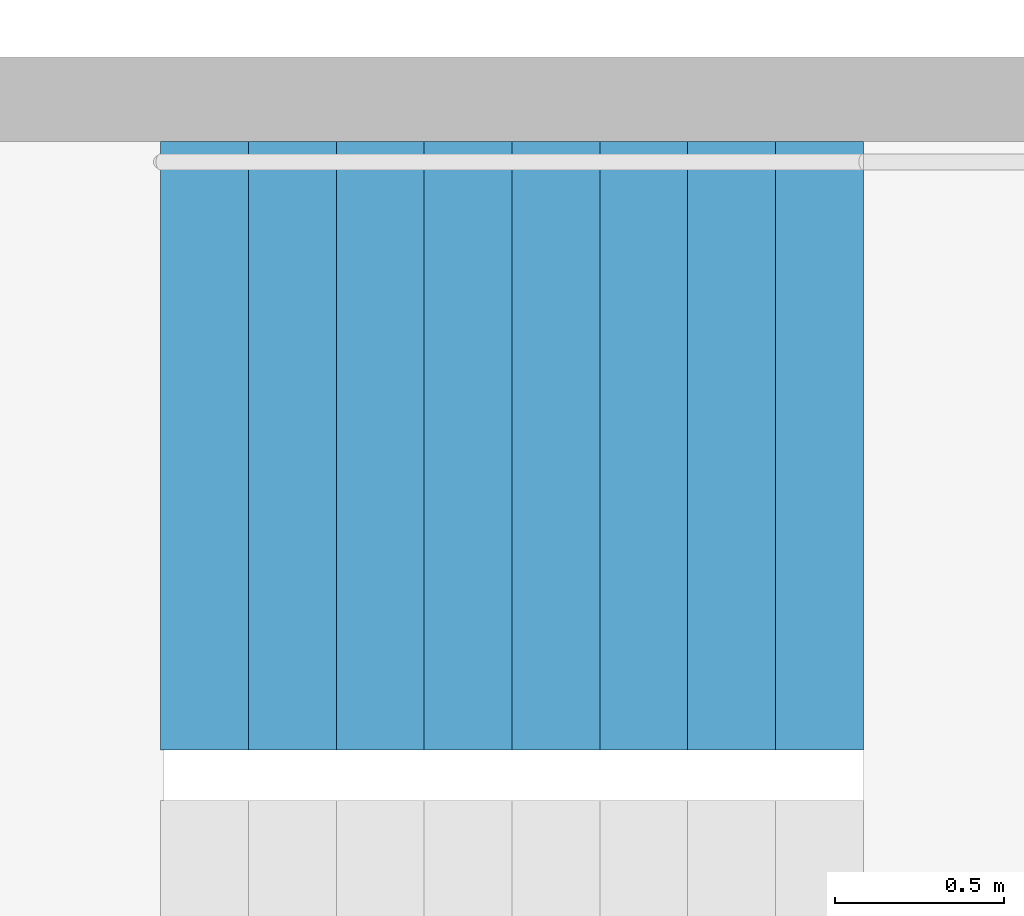
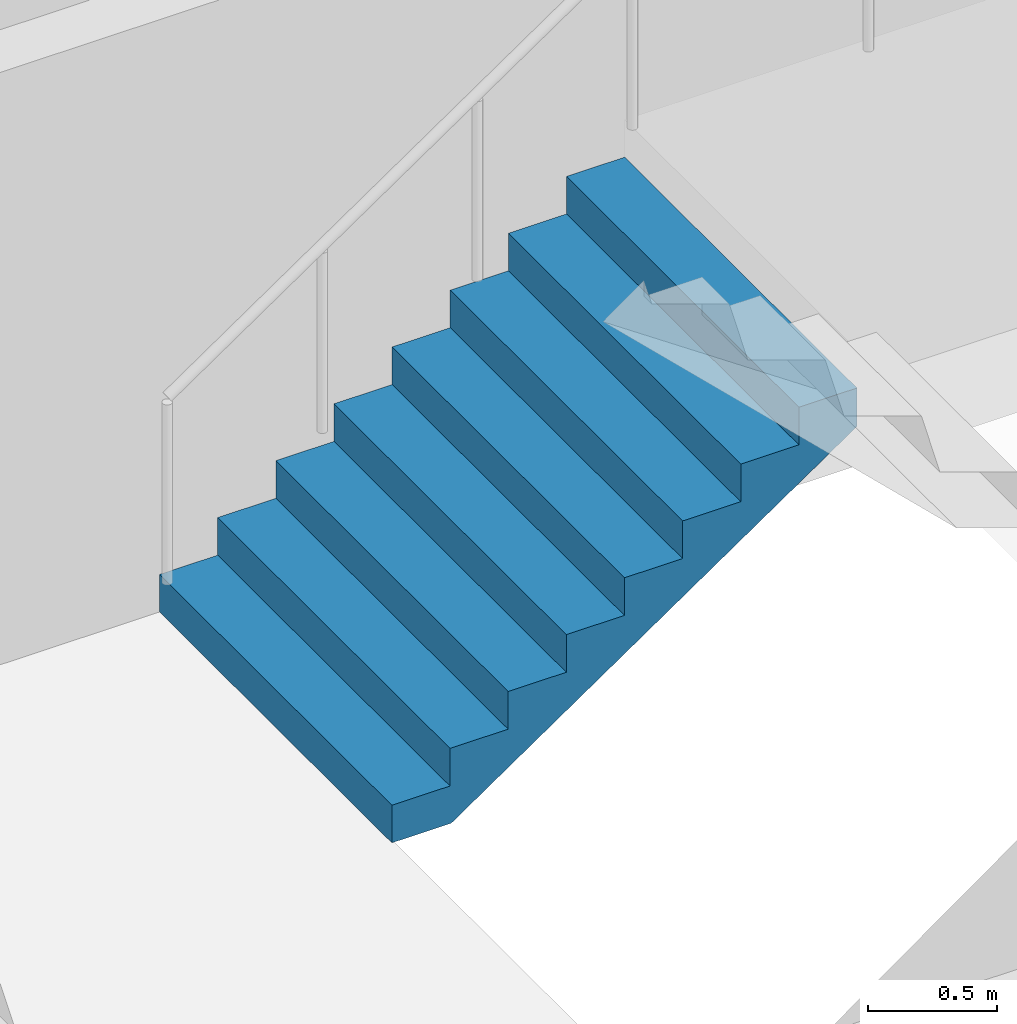
# One storey, part 26 of 29: 1 stair flight, 1 element without a shape of its own.
"""IFC4 building model written with IfcOpenShell, lengths in metres."""

from ifc_helpers import new_model, si_unit, direction, frame, origin, place, context, subcontext, project, spatial, triangles, material, type_object, element, aggregate, save


model = new_model("IFC4")

# Units and contexts
model_context = context("Model", 3, precision=1e-05, world=origin(), true_north=direction((0.0, 1.0)))
body_context = subcontext(model_context, "Body", "Model", "MODEL_VIEW")
ifc_project = project(units=[si_unit("LENGTHUNIT", "METRE"), si_unit("AREAUNIT", "SQUARE_METRE"), si_unit("VOLUMEUNIT", "CUBIC_METRE"), si_unit("PLANEANGLEUNIT", "RADIAN"), si_unit("MASSUNIT", "GRAM", prefix="KILO")], contexts=[model_context])

# Site, building, storey
site_placement = place(None, origin())
site = spatial("IfcSite", under=ifc_project, at=site_placement, CompositionType="ELEMENT")
building_placement = place(site_placement, origin())
building = spatial("IfcBuilding", under=site, at=building_placement, Name="Hakoniwa Tower and Hamabe Station Hall", CompositionType="ELEMENT")
storey_placement = place(building_placement, frame((0.0, 0.0, 23.0)))
storey = spatial("IfcBuildingStorey", under=building, at=storey_placement, Name="L05", CompositionType="ELEMENT", Elevation=23.0)

# Stair, stair flight
ifc_material_1 = material(Name="Concrete C40", Category="concrete")
stair_type = type_object("IfcStairType", Name="ESCAPE STAIR 1800", PredefinedType="HALF_TURN_STAIR", material=ifc_material_1)
stair_placement = place(storey_placement, origin())
stair = element("IfcStair", 1, at=stair_placement, inside=storey, type_object=stair_type, Name="Escape stair ST-4 L05", PredefinedType="HALF_TURN_STAIR")
ifc_material_2 = material(Name="Concrete C40", Category="concrete")
stair_flight_type = type_object("IfcStairFlightType", Name="STAIR FLIGHT 1800", PredefinedType="STRAIGHT", material=ifc_material_2)
stair_flight_placement = place(storey_placement, frame((23.39990234375, -4.64990234375, 0.0), z_axis=(0.0, 0.0, 1.0), x_axis=(1.0, 0.0, 0.0)))
stair_flight = element("IfcStairFlight", 2, at=stair_flight_placement, type_object=stair_flight_type, Name="ST-4 flight 1", NumberOfRisers=9, NumberOfTreads=8, PredefinedType="STRAIGHT", RiserHeight=0.177777778, TreadLength=0.26, context=body_context, shape_type="Tessellation", body=[
    triangles([(0.0, 0.89990234375, 0.0), (0.260009765625, 0.89990234375, 0.0), (0.265625, 0.89990234375, 0.0), (0.52001953125, 0.89990234375, 0.174072265625), (0.780029296875, 0.89990234375, 0.351806640625), (1.0400390625, 0.89990234375, 0.529541015625), (1.300048828125, 0.89990234375, 0.707275390625), (1.56005859375, 0.89990234375, 0.885009765625), (1.820068359375, 0.89990234375, 1.062744140625), (2.080078125, 0.89990234375, 1.24072265625), (2.080078125, 0.89990234375, 1.422119140625), (1.820068359375, 0.89990234375, 1.422119140625), (1.820068359375, 0.89990234375, 1.244384765625), (1.56005859375, 0.89990234375, 1.244384765625), (1.56005859375, 0.89990234375, 1.066650390625), (1.300048828125, 0.89990234375, 1.066650390625), (1.300048828125, 0.89990234375, 0.888916015625), (1.0400390625, 0.89990234375, 0.888916015625), (1.0400390625, 0.89990234375, 0.711181640625), (0.780029296875, 0.89990234375, 0.711181640625), (0.780029296875, 0.89990234375, 0.533447265625), (0.52001953125, 0.89990234375, 0.533447265625), (0.52001953125, 0.89990234375, 0.35546875), (0.265625, 0.89990234375, 0.35546875), (0.260009765625, 0.89990234375, 0.35546875), (0.260009765625, 0.89990234375, 0.177734375), (0.0, 0.89990234375, 0.177734375), (0.0, 0.06005859375, 0.0), (0.260009765625, 0.06005859375, 0.0), (0.265625, 0.06005859375, 0.0), (0.52001953125, 0.06005859375, 0.174072265625), (0.780029296875, 0.06005859375, 0.351806640625), (1.0400390625, 0.06005859375, 0.529541015625), (1.300048828125, 0.06005859375, 0.707275390625), (1.56005859375, 0.06005859375, 0.885009765625), (1.820068359375, 0.06005859375, 1.062744140625), (2.080078125, 0.06005859375, 1.24072265625), (2.080078125, 0.06005859375, 1.422119140625), (1.820068359375, 0.06005859375, 1.422119140625), (1.820068359375, 0.06005859375, 1.244384765625), (1.56005859375, 0.06005859375, 1.244384765625), (1.56005859375, 0.06005859375, 1.066650390625), (1.300048828125, 0.06005859375, 1.066650390625), (1.300048828125, 0.06005859375, 0.888916015625), (1.0400390625, 0.06005859375, 0.888916015625), (1.0400390625, 0.06005859375, 0.711181640625), (0.780029296875, 0.06005859375, 0.711181640625), (0.780029296875, 0.06005859375, 0.533447265625), (0.52001953125, 0.06005859375, 0.533447265625), (0.52001953125, 0.06005859375, 0.35546875), (0.265625, 0.06005859375, 0.35546875), (0.260009765625, 0.06005859375, 0.35546875), (0.260009765625, 0.06005859375, 0.177734375), (0.0, 0.06005859375, 0.177734375), (0.0, 0.04296875, 0.0), (0.260009765625, 0.04296875, 0.0), (0.265625, 0.04296875, 0.0), (0.52001953125, 0.04296875, 0.174072265625), (0.780029296875, 0.04296875, 0.351806640625), (1.0400390625, 0.04296875, 0.529541015625), (1.300048828125, 0.04296875, 0.707275390625), (1.56005859375, 0.04296875, 0.885009765625), (1.820068359375, 0.04296875, 1.062744140625), (2.080078125, 0.04296875, 1.24072265625), (2.080078125, 0.04296875, 1.422119140625), (1.820068359375, 0.04296875, 1.422119140625), (1.820068359375, 0.04296875, 1.244384765625), (1.56005859375, 0.04296875, 1.244384765625), (1.56005859375, 0.04296875, 1.066650390625), (1.300048828125, 0.04296875, 1.066650390625), (1.300048828125, 0.04296875, 0.888916015625), (1.0400390625, 0.04296875, 0.888916015625), (1.0400390625, 0.04296875, 0.711181640625), (0.780029296875, 0.04296875, 0.711181640625), (0.780029296875, 0.04296875, 0.533447265625), (0.52001953125, 0.04296875, 0.533447265625), (0.52001953125, 0.04296875, 0.35546875), (0.265625, 0.04296875, 0.35546875), (0.260009765625, 0.04296875, 0.35546875), (0.260009765625, 0.04296875, 0.177734375), (0.0, 0.04296875, 0.177734375), (0.0, 0.025634765625, 0.0), (0.260009765625, 0.025634765625, 0.0), (0.265625, 0.025634765625, 0.0), (0.52001953125, 0.025634765625, 0.174072265625), (0.780029296875, 0.025634765625, 0.351806640625), (1.0400390625, 0.025634765625, 0.529541015625), (1.300048828125, 0.025634765625, 0.707275390625), (1.56005859375, 0.025634765625, 0.885009765625), (1.820068359375, 0.025634765625, 1.062744140625), (2.080078125, 0.025634765625, 1.24072265625), (2.080078125, 0.025634765625, 1.422119140625), (1.820068359375, 0.025634765625, 1.422119140625), (1.820068359375, 0.025634765625, 1.244384765625), (1.56005859375, 0.025634765625, 1.244384765625), (1.56005859375, 0.025634765625, 1.066650390625), (1.300048828125, 0.025634765625, 1.066650390625), (1.300048828125, 0.025634765625, 0.888916015625), (1.0400390625, 0.025634765625, 0.888916015625), (1.0400390625, 0.025634765625, 0.711181640625), (0.780029296875, 0.025634765625, 0.711181640625), (0.780029296875, 0.025634765625, 0.533447265625), (0.52001953125, 0.025634765625, 0.533447265625), (0.52001953125, 0.025634765625, 0.35546875), (0.265625, 0.025634765625, 0.35546875), (0.260009765625, 0.025634765625, 0.35546875), (0.260009765625, 0.025634765625, 0.177734375), (0.0, 0.025634765625, 0.177734375), (0.0, 0.008544921875, 0.0), (0.260009765625, 0.008544921875, 0.0), (0.265625, 0.008544921875, 0.0), (0.52001953125, 0.008544921875, 0.174072265625), (0.780029296875, 0.008544921875, 0.351806640625), (1.0400390625, 0.008544921875, 0.529541015625), (1.300048828125, 0.008544921875, 0.707275390625), (1.56005859375, 0.008544921875, 0.885009765625), (1.820068359375, 0.008544921875, 1.062744140625), (2.080078125, 0.008544921875, 1.24072265625), (2.080078125, 0.008544921875, 1.422119140625), (1.820068359375, 0.008544921875, 1.422119140625), (1.820068359375, 0.008544921875, 1.244384765625), (1.56005859375, 0.008544921875, 1.244384765625), (1.56005859375, 0.008544921875, 1.066650390625), (1.300048828125, 0.008544921875, 1.066650390625), (1.300048828125, 0.008544921875, 0.888916015625), (1.0400390625, 0.008544921875, 0.888916015625), (1.0400390625, 0.008544921875, 0.711181640625), (0.780029296875, 0.008544921875, 0.711181640625), (0.780029296875, 0.008544921875, 0.533447265625), (0.52001953125, 0.008544921875, 0.533447265625), (0.52001953125, 0.008544921875, 0.35546875), (0.265625, 0.008544921875, 0.35546875), (0.260009765625, 0.008544921875, 0.35546875), (0.260009765625, 0.008544921875, 0.177734375), (0.0, 0.008544921875, 0.177734375), (0.0, -0.008544921875, 0.0), (0.260009765625, -0.008544921875, 0.0), (0.265625, -0.008544921875, 0.0), (0.52001953125, -0.008544921875, 0.174072265625), (0.780029296875, -0.008544921875, 0.351806640625), (1.0400390625, -0.008544921875, 0.529541015625), (1.300048828125, -0.008544921875, 0.707275390625), (1.56005859375, -0.008544921875, 0.885009765625), (1.820068359375, -0.008544921875, 1.062744140625), (2.080078125, -0.008544921875, 1.24072265625), (2.080078125, -0.008544921875, 1.422119140625), (1.820068359375, -0.008544921875, 1.422119140625), (1.820068359375, -0.008544921875, 1.244384765625), (1.56005859375, -0.008544921875, 1.244384765625), (1.56005859375, -0.008544921875, 1.066650390625), (1.300048828125, -0.008544921875, 1.066650390625), (1.300048828125, -0.008544921875, 0.888916015625), (1.0400390625, -0.008544921875, 0.888916015625), (1.0400390625, -0.008544921875, 0.711181640625), (0.780029296875, -0.008544921875, 0.711181640625), (0.780029296875, -0.008544921875, 0.533447265625), (0.52001953125, -0.008544921875, 0.533447265625), (0.52001953125, -0.008544921875, 0.35546875), (0.265625, -0.008544921875, 0.35546875), (0.260009765625, -0.008544921875, 0.35546875), (0.260009765625, -0.008544921875, 0.177734375), (0.0, -0.008544921875, 0.177734375), (0.0, -0.025634765625, 0.0), (0.260009765625, -0.025634765625, 0.0), (0.265625, -0.025634765625, 0.0), (0.52001953125, -0.025634765625, 0.174072265625), (0.780029296875, -0.025634765625, 0.351806640625), (1.0400390625, -0.025634765625, 0.529541015625), (1.300048828125, -0.025634765625, 0.707275390625), (1.56005859375, -0.025634765625, 0.885009765625), (1.820068359375, -0.025634765625, 1.062744140625), (2.080078125, -0.025634765625, 1.24072265625), (2.080078125, -0.025634765625, 1.422119140625), (1.820068359375, -0.025634765625, 1.422119140625), (1.820068359375, -0.025634765625, 1.244384765625), (1.56005859375, -0.025634765625, 1.244384765625), (1.56005859375, -0.025634765625, 1.066650390625), (1.300048828125, -0.025634765625, 1.066650390625), (1.300048828125, -0.025634765625, 0.888916015625), (1.0400390625, -0.025634765625, 0.888916015625), (1.0400390625, -0.025634765625, 0.711181640625), (0.780029296875, -0.025634765625, 0.711181640625), (0.780029296875, -0.025634765625, 0.533447265625), (0.52001953125, -0.025634765625, 0.533447265625), (0.52001953125, -0.025634765625, 0.35546875), (0.265625, -0.025634765625, 0.35546875), (0.260009765625, -0.025634765625, 0.35546875), (0.260009765625, -0.025634765625, 0.177734375), (0.0, -0.025634765625, 0.177734375), (0.0, -0.04296875, 0.0), (0.260009765625, -0.04296875, 0.0), (0.265625, -0.04296875, 0.0), (0.52001953125, -0.04296875, 0.174072265625), (0.780029296875, -0.04296875, 0.351806640625), (1.0400390625, -0.04296875, 0.529541015625), (1.300048828125, -0.04296875, 0.707275390625), (1.56005859375, -0.04296875, 0.885009765625), (1.820068359375, -0.04296875, 1.062744140625), (2.080078125, -0.04296875, 1.24072265625), (2.080078125, -0.04296875, 1.422119140625), (1.820068359375, -0.04296875, 1.422119140625), (1.820068359375, -0.04296875, 1.244384765625), (1.56005859375, -0.04296875, 1.244384765625), (1.56005859375, -0.04296875, 1.066650390625), (1.300048828125, -0.04296875, 1.066650390625), (1.300048828125, -0.04296875, 0.888916015625), (1.0400390625, -0.04296875, 0.888916015625), (1.0400390625, -0.04296875, 0.711181640625), (0.780029296875, -0.04296875, 0.711181640625), (0.780029296875, -0.04296875, 0.533447265625), (0.52001953125, -0.04296875, 0.533447265625), (0.52001953125, -0.04296875, 0.35546875), (0.265625, -0.04296875, 0.35546875), (0.260009765625, -0.04296875, 0.35546875), (0.260009765625, -0.04296875, 0.177734375), (0.0, -0.04296875, 0.177734375), (0.0, -0.06005859375, 0.0), (0.260009765625, -0.06005859375, 0.0), (0.265625, -0.06005859375, 0.0), (0.52001953125, -0.06005859375, 0.174072265625), (0.780029296875, -0.06005859375, 0.351806640625), (1.0400390625, -0.06005859375, 0.529541015625), (1.300048828125, -0.06005859375, 0.707275390625), (1.56005859375, -0.06005859375, 0.885009765625), (1.820068359375, -0.06005859375, 1.062744140625), (2.080078125, -0.06005859375, 1.24072265625), (2.080078125, -0.06005859375, 1.422119140625), (1.820068359375, -0.06005859375, 1.422119140625), (1.820068359375, -0.06005859375, 1.244384765625), (1.56005859375, -0.06005859375, 1.244384765625), (1.56005859375, -0.06005859375, 1.066650390625), (1.300048828125, -0.06005859375, 1.066650390625), (1.300048828125, -0.06005859375, 0.888916015625), (1.0400390625, -0.06005859375, 0.888916015625), (1.0400390625, -0.06005859375, 0.711181640625), (0.780029296875, -0.06005859375, 0.711181640625), (0.780029296875, -0.06005859375, 0.533447265625), (0.52001953125, -0.06005859375, 0.533447265625), (0.52001953125, -0.06005859375, 0.35546875), (0.265625, -0.06005859375, 0.35546875), (0.260009765625, -0.06005859375, 0.35546875), (0.260009765625, -0.06005859375, 0.177734375), (0.0, -0.06005859375, 0.177734375), (0.0, -0.89990234375, 0.0), (0.260009765625, -0.89990234375, 0.0), (0.265625, -0.89990234375, 0.0), (0.52001953125, -0.89990234375, 0.174072265625), (0.780029296875, -0.89990234375, 0.351806640625), (1.0400390625, -0.89990234375, 0.529541015625), (1.300048828125, -0.89990234375, 0.707275390625), (1.56005859375, -0.89990234375, 0.885009765625), (1.820068359375, -0.89990234375, 1.062744140625), (2.080078125, -0.89990234375, 1.24072265625), (2.080078125, -0.89990234375, 1.422119140625), (1.820068359375, -0.89990234375, 1.422119140625), (1.820068359375, -0.89990234375, 1.244384765625), (1.56005859375, -0.89990234375, 1.244384765625), (1.56005859375, -0.89990234375, 1.066650390625), (1.300048828125, -0.89990234375, 1.066650390625), (1.300048828125, -0.89990234375, 0.888916015625), (1.0400390625, -0.89990234375, 0.888916015625), (1.0400390625, -0.89990234375, 0.711181640625), (0.780029296875, -0.89990234375, 0.711181640625), (0.780029296875, -0.89990234375, 0.533447265625), (0.52001953125, -0.89990234375, 0.533447265625), (0.52001953125, -0.89990234375, 0.35546875), (0.265625, -0.89990234375, 0.35546875), (0.260009765625, -0.89990234375, 0.35546875), (0.260009765625, -0.89990234375, 0.177734375), (0.0, -0.89990234375, 0.177734375)], [[2, 27, 26], [245, 269, 270], [2, 1, 27], [245, 270, 244], [3, 25, 24], [246, 267, 268], [3, 26, 25], [246, 268, 269], [3, 2, 26], [246, 269, 245], [4, 24, 23], [247, 266, 267], [4, 3, 24], [247, 267, 246], [5, 22, 21], [248, 264, 265], [5, 23, 22], [248, 265, 266], [5, 4, 23], [248, 266, 247], [6, 20, 19], [249, 262, 263], [6, 21, 20], [249, 263, 264], [6, 5, 21], [249, 264, 248], [7, 18, 17], [250, 260, 261], [7, 19, 18], [250, 261, 262], [7, 6, 19], [250, 262, 249], [8, 16, 15], [251, 258, 259], [8, 17, 16], [251, 259, 260], [8, 7, 17], [251, 260, 250], [9, 14, 13], [252, 256, 257], [9, 15, 14], [252, 257, 258], [9, 8, 15], [252, 258, 251], [10, 12, 11], [253, 254, 255], [10, 13, 12], [253, 255, 256], [10, 9, 13], [253, 256, 252], [1, 2, 29], [1, 29, 28], [28, 29, 56], [28, 56, 55], [55, 56, 83], [55, 83, 82], [82, 83, 110], [82, 110, 109], [109, 110, 137], [109, 137, 136], [136, 137, 164], [136, 164, 163], [163, 164, 191], [163, 191, 190], [190, 191, 218], [190, 218, 217], [217, 218, 245], [217, 245, 244], [2, 3, 30], [2, 30, 29], [29, 30, 57], [29, 57, 56], [56, 57, 84], [56, 84, 83], [83, 84, 111], [83, 111, 110], [110, 111, 138], [110, 138, 137], [137, 138, 165], [137, 165, 164], [164, 165, 192], [164, 192, 191], [191, 192, 219], [191, 219, 218], [218, 219, 246], [218, 246, 245], [3, 4, 31], [3, 31, 30], [30, 31, 58], [30, 58, 57], [57, 58, 85], [57, 85, 84], [84, 85, 112], [84, 112, 111], [111, 112, 139], [111, 139, 138], [138, 139, 166], [138, 166, 165], [165, 166, 193], [165, 193, 192], [192, 193, 220], [192, 220, 219], [219, 220, 247], [219, 247, 246], [4, 5, 32], [4, 32, 31], [31, 32, 59], [31, 59, 58], [58, 59, 86], [58, 86, 85], [85, 86, 113], [85, 113, 112], [112, 113, 140], [112, 140, 139], [139, 140, 167], [139, 167, 166], [166, 167, 194], [166, 194, 193], [193, 194, 221], [193, 221, 220], [220, 221, 248], [220, 248, 247], [5, 6, 33], [5, 33, 32], [32, 33, 60], [32, 60, 59], [59, 60, 87], [59, 87, 86], [86, 87, 114], [86, 114, 113], [113, 114, 141], [113, 141, 140], [140, 141, 168], [140, 168, 167], [167, 168, 195], [167, 195, 194], [194, 195, 222], [194, 222, 221], [221, 222, 249], [221, 249, 248], [6, 7, 34], [6, 34, 33], [33, 34, 61], [33, 61, 60], [60, 61, 88], [60, 88, 87], [87, 88, 115], [87, 115, 114], [114, 115, 142], [114, 142, 141], [141, 142, 169], [141, 169, 168], [168, 169, 196], [168, 196, 195], [195, 196, 223], [195, 223, 222], [222, 223, 250], [222, 250, 249], [7, 8, 35], [7, 35, 34], [34, 35, 62], [34, 62, 61], [61, 62, 89], [61, 89, 88], [88, 89, 116], [88, 116, 115], [115, 116, 143], [115, 143, 142], [142, 143, 170], [142, 170, 169], [169, 170, 197], [169, 197, 196], [196, 197, 224], [196, 224, 223], [223, 224, 251], [223, 251, 250], [8, 9, 36], [8, 36, 35], [35, 36, 63], [35, 63, 62], [62, 63, 90], [62, 90, 89], [89, 90, 117], [89, 117, 116], [116, 117, 144], [116, 144, 143], [143, 144, 171], [143, 171, 170], [170, 171, 198], [170, 198, 197], [197, 198, 225], [197, 225, 224], [224, 225, 252], [224, 252, 251], [9, 10, 37], [9, 37, 36], [36, 37, 64], [36, 64, 63], [63, 64, 91], [63, 91, 90], [90, 91, 118], [90, 118, 117], [117, 118, 145], [117, 145, 144], [144, 145, 172], [144, 172, 171], [171, 172, 199], [171, 199, 198], [198, 199, 226], [198, 226, 225], [225, 226, 253], [225, 253, 252], [10, 11, 38], [10, 38, 37], [37, 38, 65], [37, 65, 64], [64, 65, 92], [64, 92, 91], [91, 92, 119], [91, 119, 118], [118, 119, 146], [118, 146, 145], [145, 146, 173], [145, 173, 172], [172, 173, 200], [172, 200, 199], [199, 200, 227], [199, 227, 226], [226, 227, 254], [226, 254, 253], [11, 12, 39], [11, 39, 38], [38, 39, 66], [38, 66, 65], [65, 66, 93], [65, 93, 92], [92, 93, 120], [92, 120, 119], [119, 120, 147], [119, 147, 146], [146, 147, 174], [146, 174, 173], [173, 174, 201], [173, 201, 200], [200, 201, 228], [200, 228, 227], [227, 228, 255], [227, 255, 254], [12, 13, 40], [12, 40, 39], [39, 40, 67], [39, 67, 66], [66, 67, 94], [66, 94, 93], [93, 94, 121], [93, 121, 120], [120, 121, 148], [120, 148, 147], [147, 148, 175], [147, 175, 174], [174, 175, 202], [174, 202, 201], [201, 202, 229], [201, 229, 228], [228, 229, 256], [228, 256, 255], [13, 14, 41], [13, 41, 40], [40, 41, 68], [40, 68, 67], [67, 68, 95], [67, 95, 94], [94, 95, 122], [94, 122, 121], [121, 122, 149], [121, 149, 148], [148, 149, 176], [148, 176, 175], [175, 176, 203], [175, 203, 202], [202, 203, 230], [202, 230, 229], [229, 230, 257], [229, 257, 256], [14, 15, 42], [14, 42, 41], [41, 42, 69], [41, 69, 68], [68, 69, 96], [68, 96, 95], [95, 96, 123], [95, 123, 122], [122, 123, 150], [122, 150, 149], [149, 150, 177], [149, 177, 176], [176, 177, 204], [176, 204, 203], [203, 204, 231], [203, 231, 230], [230, 231, 258], [230, 258, 257], [15, 16, 43], [15, 43, 42], [42, 43, 70], [42, 70, 69], [69, 70, 97], [69, 97, 96], [96, 97, 124], [96, 124, 123], [123, 124, 151], [123, 151, 150], [150, 151, 178], [150, 178, 177], [177, 178, 205], [177, 205, 204], [204, 205, 232], [204, 232, 231], [231, 232, 259], [231, 259, 258], [16, 17, 44], [16, 44, 43], [43, 44, 71], [43, 71, 70], [70, 71, 98], [70, 98, 97], [97, 98, 125], [97, 125, 124], [124, 125, 152], [124, 152, 151], [151, 152, 179], [151, 179, 178], [178, 179, 206], [178, 206, 205], [205, 206, 233], [205, 233, 232], [232, 233, 260], [232, 260, 259], [17, 18, 45], [17, 45, 44], [44, 45, 72], [44, 72, 71], [71, 72, 99], [71, 99, 98], [98, 99, 126], [98, 126, 125], [125, 126, 153], [125, 153, 152], [152, 153, 180], [152, 180, 179], [179, 180, 207], [179, 207, 206], [206, 207, 234], [206, 234, 233], [233, 234, 261], [233, 261, 260], [18, 19, 46], [18, 46, 45], [45, 46, 73], [45, 73, 72], [72, 73, 100], [72, 100, 99], [99, 100, 127], [99, 127, 126], [126, 127, 154], [126, 154, 153], [153, 154, 181], [153, 181, 180], [180, 181, 208], [180, 208, 207], [207, 208, 235], [207, 235, 234], [234, 235, 262], [234, 262, 261], [19, 20, 47], [19, 47, 46], [46, 47, 74], [46, 74, 73], [73, 74, 101], [73, 101, 100], [100, 101, 128], [100, 128, 127], [127, 128, 155], [127, 155, 154], [154, 155, 182], [154, 182, 181], [181, 182, 209], [181, 209, 208], [208, 209, 236], [208, 236, 235], [235, 236, 263], [235, 263, 262], [20, 21, 48], [20, 48, 47], [47, 48, 75], [47, 75, 74], [74, 75, 102], [74, 102, 101], [101, 102, 129], [101, 129, 128], [128, 129, 156], [128, 156, 155], [155, 156, 183], [155, 183, 182], [182, 183, 210], [182, 210, 209], [209, 210, 237], [209, 237, 236], [236, 237, 264], [236, 264, 263], [21, 22, 49], [21, 49, 48], [48, 49, 76], [48, 76, 75], [75, 76, 103], [75, 103, 102], [102, 103, 130], [102, 130, 129], [129, 130, 157], [129, 157, 156], [156, 157, 184], [156, 184, 183], [183, 184, 211], [183, 211, 210], [210, 211, 238], [210, 238, 237], [237, 238, 265], [237, 265, 264], [22, 23, 50], [22, 50, 49], [49, 50, 77], [49, 77, 76], [76, 77, 104], [76, 104, 103], [103, 104, 131], [103, 131, 130], [130, 131, 158], [130, 158, 157], [157, 158, 185], [157, 185, 184], [184, 185, 212], [184, 212, 211], [211, 212, 239], [211, 239, 238], [238, 239, 266], [238, 266, 265], [23, 24, 51], [23, 51, 50], [50, 51, 78], [50, 78, 77], [77, 78, 105], [77, 105, 104], [104, 105, 132], [104, 132, 131], [131, 132, 159], [131, 159, 158], [158, 159, 186], [158, 186, 185], [185, 186, 213], [185, 213, 212], [212, 213, 240], [212, 240, 239], [239, 240, 267], [239, 267, 266], [24, 25, 52], [24, 52, 51], [51, 52, 79], [51, 79, 78], [78, 79, 106], [78, 106, 105], [105, 106, 133], [105, 133, 132], [132, 133, 160], [132, 160, 159], [159, 160, 187], [159, 187, 186], [186, 187, 214], [186, 214, 213], [213, 214, 241], [213, 241, 240], [240, 241, 268], [240, 268, 267], [25, 26, 53], [25, 53, 52], [52, 53, 80], [52, 80, 79], [79, 80, 107], [79, 107, 106], [106, 107, 134], [106, 134, 133], [133, 134, 161], [133, 161, 160], [160, 161, 188], [160, 188, 187], [187, 188, 215], [187, 215, 214], [214, 215, 242], [214, 242, 241], [241, 242, 269], [241, 269, 268], [26, 27, 54], [26, 54, 53], [53, 54, 81], [53, 81, 80], [80, 81, 108], [80, 108, 107], [107, 108, 135], [107, 135, 134], [134, 135, 162], [134, 162, 161], [161, 162, 189], [161, 189, 188], [188, 189, 216], [188, 216, 215], [215, 216, 243], [215, 243, 242], [242, 243, 270], [242, 270, 269], [27, 1, 28], [27, 28, 54], [54, 28, 55], [54, 55, 81], [81, 55, 82], [81, 82, 108], [108, 82, 109], [108, 109, 135], [135, 109, 136], [135, 136, 162], [162, 136, 163], [162, 163, 189], [189, 163, 190], [189, 190, 216], [216, 190, 217], [216, 217, 243], [243, 217, 244], [243, 244, 270]], closed=True),
])
aggregate(stair, [stair_flight])

save(model, "model.ifc")
